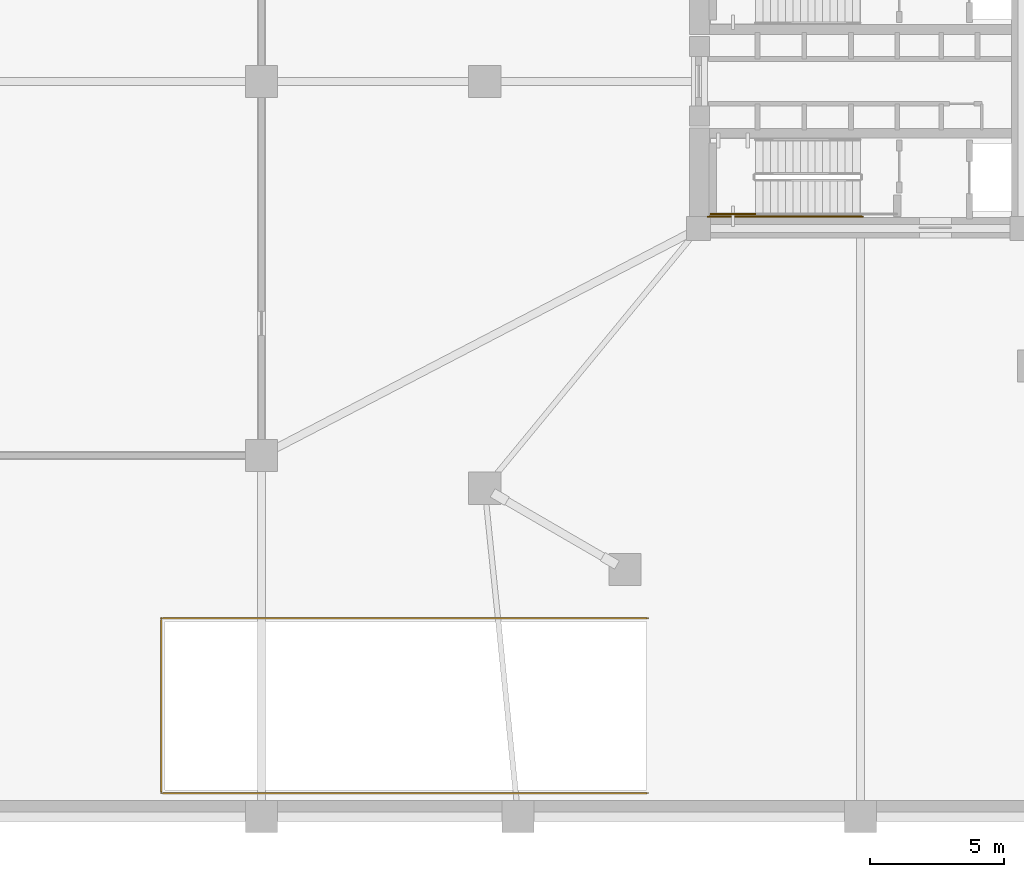
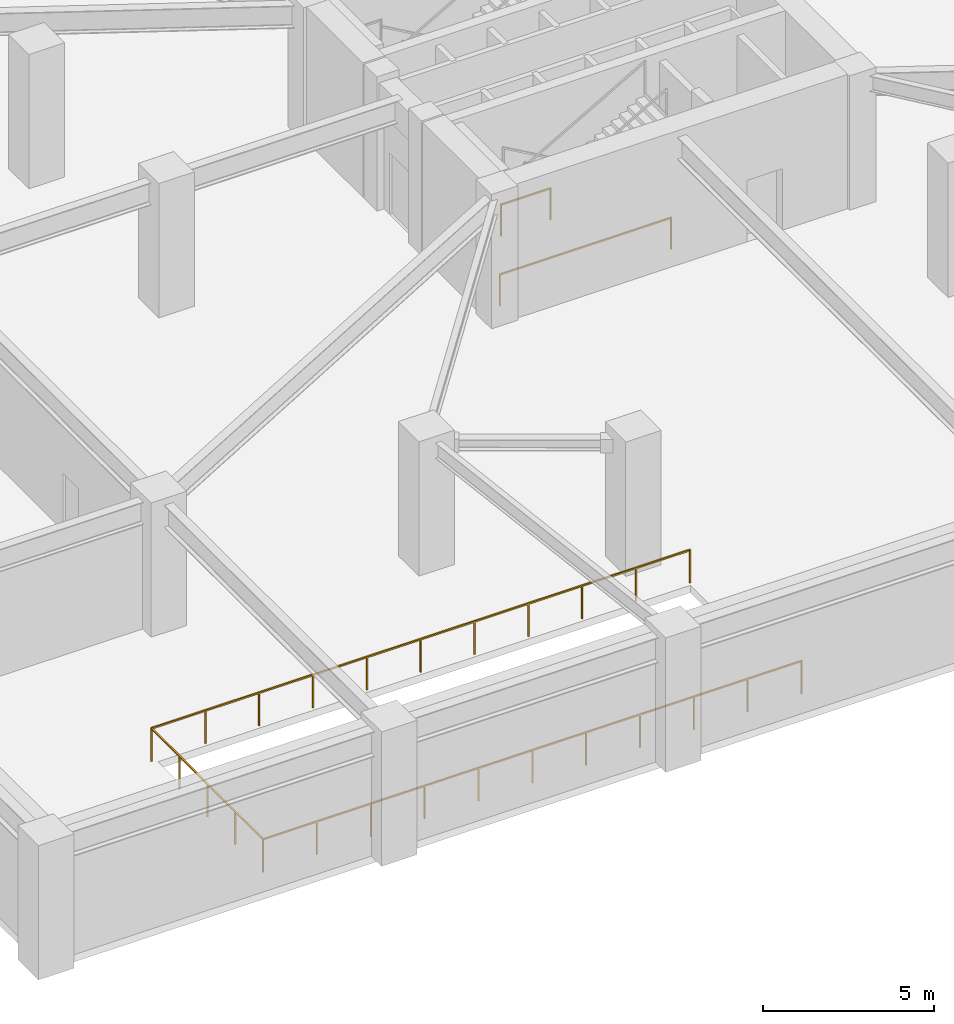
# One storey, part 7 of 13: 3 railings.
"""IFC4 building model written with IfcOpenShell, lengths in metres."""

from ifc_helpers import new_model, si_unit, direction, frame, origin, origin_2d, place, context, subcontext, project, spatial, rectangle, extrude, material, type_object, element, save


model = new_model("IFC4")

# Units and contexts
model_context = context("Model", 3, precision=1e-05, world=origin(), true_north=direction((0.0, 1.0)))
body_context = subcontext(model_context, "Body", "Model", "MODEL_VIEW")
ifc_project = project(units=[si_unit("LENGTHUNIT", "METRE"), si_unit("AREAUNIT", "SQUARE_METRE"), si_unit("VOLUMEUNIT", "CUBIC_METRE"), si_unit("PLANEANGLEUNIT", "RADIAN"), si_unit("MASSUNIT", "GRAM", prefix="KILO")], contexts=[model_context])

# Site, building, storey
site_placement = place(None, origin())
site = spatial("IfcSite", under=ifc_project, at=site_placement, CompositionType="ELEMENT")
building_placement = place(site_placement, origin())
building = spatial("IfcBuilding", under=site, at=building_placement, Name="Yunling Apex Tower", CompositionType="ELEMENT")
storey_placement = place(building_placement, frame((0.0, 0.0, -4.800048828125)))
storey = spatial("IfcBuildingStorey", under=building, at=storey_placement, Name="B01", CompositionType="ELEMENT", Elevation=-4.800048828125)

# Railings
ifc_material = material(Name="Steel Q355B", Category="steel")
railing_type = type_object("IfcRailingType", Name="RL-GRD-1150", PredefinedType="GUARDRAIL", material=ifc_material)
railing_1_placement = place(storey_placement, frame((-3.929931640625, -4.9599609375, 2.400146484375)))
element("IfcRailing", 1, at=railing_1_placement, inside=storey, type_object=railing_type, Name="B01 ST-2 stair guard 3", PredefinedType="GUARDRAIL", context=body_context, shape_type="SweptSolid", body=[
    extrude(rectangle(XDim=0.0439453125, YDim=0.0439453125, at=origin_2d()), origin(), (0.0, 0.0, 1.0), 1.14990234375),
    extrude(rectangle(XDim=0.0439453125, YDim=0.0439453125, at=origin_2d()), frame((-1.670166015625, 0.0, 0.0)), (0.0, 0.0, 1.0), 1.14990234375),
    extrude(rectangle(XDim=0.050048828125, YDim=0.050048828125, at=origin_2d()), frame((-0.038330078125, 0.0, 1.125), z_axis=(-1.0, 0.0, 0.0), x_axis=(0.0, -1.0, 0.0)), (0.0, 0.0, 1.0), 1.593505859375),
])
railing_2_placement = place(storey_placement, frame((0.090087890625, -5.06005859375, 0.0)))
element("IfcRailing", 2, at=railing_2_placement, inside=storey, type_object=railing_type, Name="B01 ST-2 stair guard 7", PredefinedType="GUARDRAIL", context=body_context, shape_type="SweptSolid", body=[
    extrude(rectangle(XDim=0.0439453125, YDim=0.0439453125, at=origin_2d()), origin(), (0.0, 0.0, 1.0), 1.14990234375),
    extrude(rectangle(XDim=0.0439453125, YDim=0.0439453125, at=origin_2d()), frame((-5.7900390625, 0.0, 0.0)), (0.0, 0.0, 1.0), 1.14990234375),
    extrude(rectangle(XDim=0.050048828125, YDim=0.050048828125, at=origin_2d()), frame((-0.038330078125, 0.0, 1.125), z_axis=(-1.0, 0.0, 0.0), x_axis=(0.0, -1.0, 0.0)), (0.0, 0.0, 1.0), 5.71337890625),
])
railing_3_placement = place(storey_placement, frame((-7.949951171875, -26.6201171875, 0.0)))
element("IfcRailing", 3, at=railing_3_placement, inside=storey, type_object=railing_type, Name="RL-VRMP-B01-U", PredefinedType="GUARDRAIL", context=body_context, shape_type="SweptSolid", body=[
    extrude(rectangle(XDim=0.0439453125, YDim=0.0439453125, at=origin_2d()), origin(), (0.0, 0.0, 1.0), 1.199951171875),
    extrude(rectangle(XDim=0.0439453125, YDim=0.0439453125, at=origin_2d()), frame((-18.199951171875, 0.0, 0.0)), (0.0, 0.0, 1.0), 1.199951171875),
    extrude(rectangle(XDim=0.050048828125, YDim=0.050048828125, at=origin_2d()), frame((-0.038330078125, 0.0, 1.1748046875), z_axis=(-1.0, 0.0, 0.0), x_axis=(0.0, -1.0, 0.0)), (0.0, 0.0, 1.0), 18.123291015625),
    extrude(rectangle(XDim=0.0439453125, YDim=0.0439453125, at=origin_2d()), frame((-1.820068359375, 0.0, 0.0)), (0.0, 0.0, 1.0), 1.14599609375),
    extrude(rectangle(XDim=0.0439453125, YDim=0.0439453125, at=origin_2d()), frame((-3.639892578125, 0.0, 0.0)), (0.0, 0.0, 1.0), 1.14599609375),
    extrude(rectangle(XDim=0.0439453125, YDim=0.0439453125, at=origin_2d()), frame((-5.4599609375, 0.0, 0.0)), (0.0, 0.0, 1.0), 1.14599609375),
    extrude(rectangle(XDim=0.0439453125, YDim=0.0439453125, at=origin_2d()), frame((-7.280029296875, 0.0, 0.0)), (0.0, 0.0, 1.0), 1.14599609375),
    extrude(rectangle(XDim=0.0439453125, YDim=0.0439453125, at=origin_2d()), frame((-9.10009765625, 0.0, 0.0)), (0.0, 0.0, 1.0), 1.14599609375),
    extrude(rectangle(XDim=0.0439453125, YDim=0.0439453125, at=origin_2d()), frame((-10.919921875, 0.0, 0.0)), (0.0, 0.0, 1.0), 1.14599609375),
    extrude(rectangle(XDim=0.0439453125, YDim=0.0439453125, at=origin_2d()), frame((-12.739990234375, 0.0, 0.0)), (0.0, 0.0, 1.0), 1.14599609375),
    extrude(rectangle(XDim=0.0439453125, YDim=0.0439453125, at=origin_2d()), frame((-14.56005859375, 0.0, 0.0)), (0.0, 0.0, 1.0), 1.14599609375),
    extrude(rectangle(XDim=0.0439453125, YDim=0.0439453125, at=origin_2d()), frame((-16.3798828125, 0.0, 0.0)), (0.0, 0.0, 1.0), 1.14599609375),
    extrude(rectangle(XDim=0.0439453125, YDim=0.0439453125, at=origin_2d()), frame((-18.199951171875, 6.5400390625, 0.0)), (0.0, 0.0, 1.0), 1.199951171875),
    extrude(rectangle(XDim=0.050048828125, YDim=0.050048828125, at=origin_2d()), frame((-18.199951171875, 0.038330078125, 1.1748046875), z_axis=(0.0, 1.0, 0.0), x_axis=(-1.0, 0.0, 0.0)), (0.0, 0.0, 1.0), 6.46337890625),
    extrude(rectangle(XDim=0.0439453125, YDim=0.0439453125, at=origin_2d()), frame((-18.199951171875, 1.635009765625, 0.0)), (0.0, 0.0, 1.0), 1.14599609375),
    extrude(rectangle(XDim=0.0439453125, YDim=0.0439453125, at=origin_2d()), frame((-18.199951171875, 3.27001953125, 0.0)), (0.0, 0.0, 1.0), 1.14599609375),
    extrude(rectangle(XDim=0.0439453125, YDim=0.0439453125, at=origin_2d()), frame((-18.199951171875, 4.905029296875, 0.0)), (0.0, 0.0, 1.0), 1.14599609375),
    extrude(rectangle(XDim=0.0439453125, YDim=0.0439453125, at=origin_2d()), frame((0.0, 6.5400390625, 0.0)), (0.0, 0.0, 1.0), 1.199951171875),
    extrude(rectangle(XDim=0.050048828125, YDim=0.050048828125, at=origin_2d()), frame((-18.16162109375, 6.5400390625, 1.1748046875), z_axis=(1.0, 0.0, 0.0), x_axis=(0.0, 1.0, 0.0)), (0.0, 0.0, 1.0), 18.123291015625),
    extrude(rectangle(XDim=0.0439453125, YDim=0.0439453125, at=origin_2d()), frame((-16.3798828125, 6.5400390625, 0.0)), (0.0, 0.0, 1.0), 1.14599609375),
    extrude(rectangle(XDim=0.0439453125, YDim=0.0439453125, at=origin_2d()), frame((-14.56005859375, 6.5400390625, 0.0)), (0.0, 0.0, 1.0), 1.14599609375),
    extrude(rectangle(XDim=0.0439453125, YDim=0.0439453125, at=origin_2d()), frame((-12.739990234375, 6.5400390625, 0.0)), (0.0, 0.0, 1.0), 1.14599609375),
    extrude(rectangle(XDim=0.0439453125, YDim=0.0439453125, at=origin_2d()), frame((-10.919921875, 6.5400390625, 0.0)), (0.0, 0.0, 1.0), 1.14599609375),
    extrude(rectangle(XDim=0.0439453125, YDim=0.0439453125, at=origin_2d()), frame((-9.10009765625, 6.5400390625, 0.0)), (0.0, 0.0, 1.0), 1.14599609375),
    extrude(rectangle(XDim=0.0439453125, YDim=0.0439453125, at=origin_2d()), frame((-7.280029296875, 6.5400390625, 0.0)), (0.0, 0.0, 1.0), 1.14599609375),
    extrude(rectangle(XDim=0.0439453125, YDim=0.0439453125, at=origin_2d()), frame((-5.4599609375, 6.5400390625, 0.0)), (0.0, 0.0, 1.0), 1.14599609375),
    extrude(rectangle(XDim=0.0439453125, YDim=0.0439453125, at=origin_2d()), frame((-3.639892578125, 6.5400390625, 0.0)), (0.0, 0.0, 1.0), 1.14599609375),
    extrude(rectangle(XDim=0.0439453125, YDim=0.0439453125, at=origin_2d()), frame((-1.820068359375, 6.5400390625, 0.0)), (0.0, 0.0, 1.0), 1.14599609375),
])

save(model, "model.ifc")
